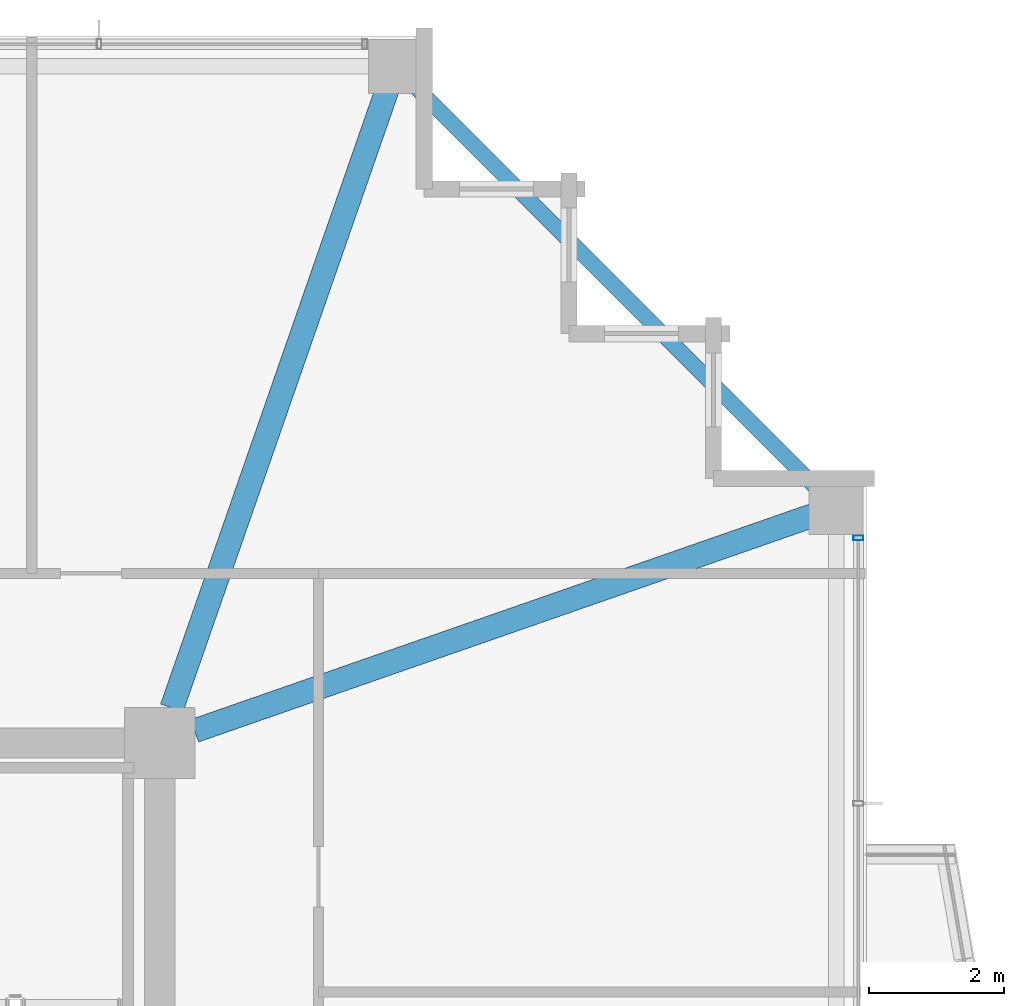
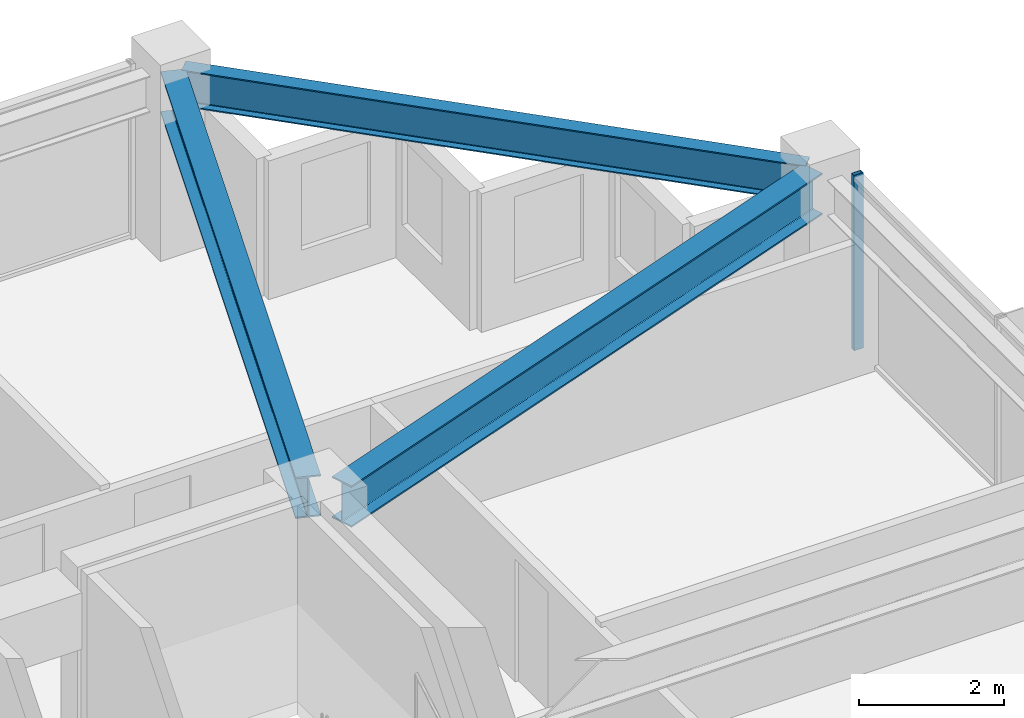
# One storey, part 19 of 34: 3 beams, 1 member, 1 element without a shape of its own.
"""IFC4 building model written with IfcOpenShell, lengths in metres."""

from ifc_helpers import new_model, si_unit, direction, frame, origin, origin_2d, place, context, subcontext, project, spatial, hollow_rectangle, i_section, extrude, material, material_profile, profile_set, type_object, element, aggregate, save


model = new_model("IFC4")

# Units and contexts
model_context = context("Model", 3, precision=1e-05, world=origin(), true_north=direction((0.0, 1.0)))
body_context = subcontext(model_context, "Body", "Model", "MODEL_VIEW")
ifc_project = project(units=[si_unit("LENGTHUNIT", "METRE"), si_unit("AREAUNIT", "SQUARE_METRE"), si_unit("VOLUMEUNIT", "CUBIC_METRE"), si_unit("PLANEANGLEUNIT", "RADIAN"), si_unit("MASSUNIT", "GRAM", prefix="KILO")], contexts=[model_context])

# Site, building, storey
site_placement = place(None, origin())
site = spatial("IfcSite", under=ifc_project, at=site_placement, CompositionType="ELEMENT")
building_placement = place(site_placement, origin())
building = spatial("IfcBuilding", under=site, at=building_placement, Name="Kolvaren Belvedere", CompositionType="ELEMENT")
storey_placement = place(building_placement, frame((0.0, 0.0, 229.5)))
storey = spatial("IfcBuildingStorey", under=building, at=storey_placement, Name="L67", CompositionType="ELEMENT", Elevation=229.5)

# Beams
ifc_material_1 = material(Name="Structural steel ASTM A992 Grade 50", Category="steel")
ifc_material_profile_1 = material_profile(ifc_material_1, i_section(OverallWidth=0.35498046875, OverallDepth=0.696044921875, WebThickness=0.015380859375, FlangeThickness=0.02490234375, FilletRadius=0.02197265625, at=origin_2d()), Name="W27X146")
ifc_profile_set_1 = profile_set([ifc_material_profile_1], Name="Structural steel ASTM A992 Grade 50")
beam_type_1 = type_object("IfcBeamType", Name="BM-GIRD-W27X146", PredefinedType="BEAM", material=ifc_profile_set_1)
for number, where, z_axis, x_axis, name in (
    (1, (10.080810546875, 10.41943359375, 2.60205078125), (0.328898147971, 0.944365399758, 0.0), (-0.944365399758, 0.328898147971, 0.0), "L67 Corner Core-to-Perimeter Girder CC3-N4"),
    (2, (10.41943359375, 10.080810546875, 2.60205078125), (0.944365399758, 0.328898147971, 0.0), (-0.328898147971, 0.944365399758, 0.0), "L67 Corner Core-to-Perimeter Girder CC3-E4"),
):
    element("IfcBeam", number, at=place(storey_placement, frame(where, z_axis=z_axis, x_axis=x_axis)), inside=storey, type_object=beam_type_1, Name=name, PredefinedType="BEAM", context=body_context, shape_type="SweptSolid", body=[
        extrude(i_section(OverallWidth=0.35498046875, OverallDepth=0.696044921875, WebThickness=0.015380859375, FlangeThickness=0.02490234375, FilletRadius=0.02197265625, at=origin_2d()), origin(), (0.0, 0.0, 1.0), 9.931884765625),
    ])
ifc_material_2 = material(Name="Structural steel ASTM A992 Grade 50", Category="steel")
ifc_material_profile_2 = material_profile(ifc_material_2, i_section(OverallWidth=0.22900390625, OverallDepth=0.612060546875, WebThickness=0.011962890625, FlangeThickness=0.01953125, FilletRadius=0.01806640625, at=origin_2d()), Name="W24X84")
ifc_profile_set_2 = profile_set([ifc_material_profile_2], Name="Structural steel ASTM A992 Grade 50")
beam_type_2 = type_object("IfcBeamType", Name="BM-SPAN-W24X84", PredefinedType="SPANDREL", material=ifc_profile_set_2)
beam_placement = place(storey_placement, frame((19.82275390625, 13.52734375, 2.64404296875), z_axis=(-0.707106781187, 0.707106781187, 0.0), x_axis=(-0.707106781187, -0.707106781187, 0.0)))
element("IfcBeam", 3, at=beam_placement, inside=storey, type_object=beam_type_2, Name="L67 Perimeter Spandrel E4-N4", PredefinedType="SPANDREL", context=body_context, shape_type="SweptSolid", body=[
    extrude(i_section(OverallWidth=0.22900390625, OverallDepth=0.612060546875, WebThickness=0.011962890625, FlangeThickness=0.01953125, FilletRadius=0.01806640625, at=origin_2d()), origin(), (0.0, 0.0, 1.0), 8.903076171875),
])

# Curtain wall, member
ifc_material_3 = material(Name="Anodised pale-metal aluminium AA 6063-T6", Category="aluminium")
curtain_wall_type = type_object("IfcCurtainWallType", Name="CW-Z5-HIGH", PredefinedType="NOTDEFINED", material=ifc_material_3)
curtain_wall_placement = place(storey_placement, origin())
curtain_wall = element("IfcCurtainWall", 4, at=curtain_wall_placement, inside=storey, type_object=curtain_wall_type, Name="L67 Unitised Curtain Wall FCW-L67-E1-B1", PredefinedType="NOTDEFINED")
ifc_material_4 = material(Name="Anodised pale-metal aluminium AA 6063-T6", Category="aluminium")
ifc_material_profile_3 = material_profile(ifc_material_4, hollow_rectangle(XDim=0.070068359375, YDim=0.14990234375, WallThickness=0.004150390625, at=origin_2d()), Name="ALU-MUL-150X70")
ifc_profile_set_3 = profile_set([ifc_material_profile_3], Name="Anodised pale-metal aluminium AA 6063-T6")
member_type = type_object("IfcMemberType", Name="CW-MUL-150", PredefinedType="MULLION", material=ifc_profile_set_3)
member_placement = place(storey_placement, frame((20.280029296875, 12.945068359375, 0.0), z_axis=(0.0, 0.0, 1.0), x_axis=(0.0, 1.0, 0.0)))
member = element("IfcMember", 5, at=member_placement, type_object=member_type, Name="FCW-L67-E1-B1 Unitised Mullion 1", PredefinedType="MULLION", context=body_context, shape_type="SweptSolid", body=[
    extrude(hollow_rectangle(XDim=0.070068359375, YDim=0.14990234375, WallThickness=0.004150390625, at=origin_2d()), origin(), (0.0, 0.0, 1.0), 2.949951171875),
])
aggregate(curtain_wall, [member])

save(model, "model.ifc")
